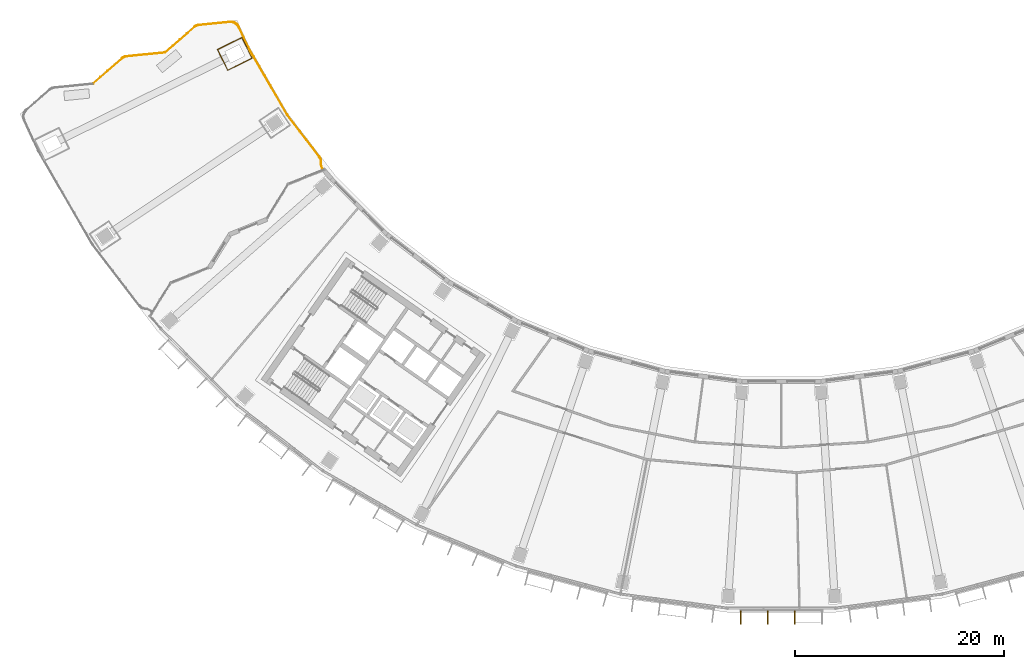
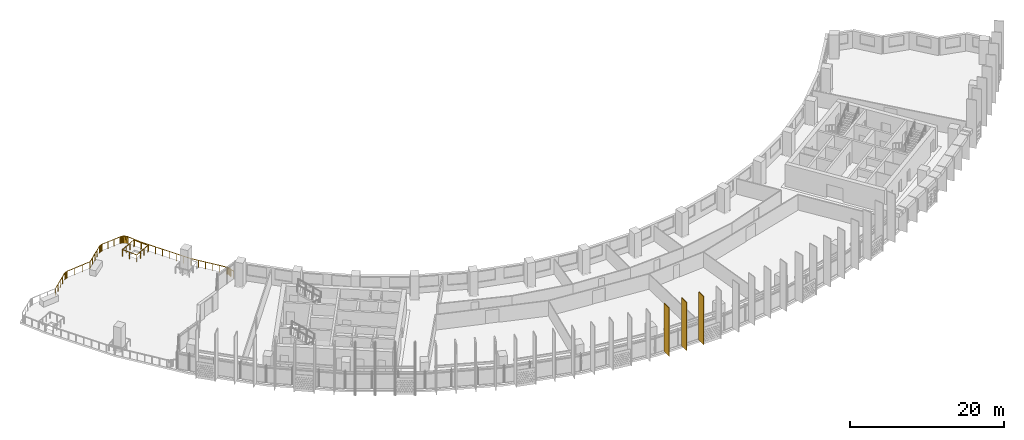
# One storey, part 25 of 31: 3 shading devices, 2 railings.
"""IFC4 building model written with IfcOpenShell, lengths in metres."""

from ifc_helpers import new_model, si_unit, direction, frame, origin, origin_2d, place, context, subcontext, project, spatial, rectangle, circle, extrude, material, material_profile, profile_set, type_object, element, save


model = new_model("IFC4")

# Units and contexts
model_context = context("Model", 3, precision=1e-05, world=origin(), true_north=direction((0.0, 1.0)))
body_context = subcontext(model_context, "Body", "Model", "MODEL_VIEW")
ifc_project = project(units=[si_unit("LENGTHUNIT", "METRE"), si_unit("AREAUNIT", "SQUARE_METRE"), si_unit("VOLUMEUNIT", "CUBIC_METRE"), si_unit("PLANEANGLEUNIT", "RADIAN"), si_unit("MASSUNIT", "GRAM", prefix="KILO")], contexts=[model_context])

# Site, building, storey
site_placement = place(None, origin())
site = spatial("IfcSite", under=ifc_project, at=site_placement, CompositionType="ELEMENT")
building_placement = place(site_placement, origin())
building = spatial("IfcBuilding", under=site, at=building_placement, Name="Qamariyya Broadcast Tower", CompositionType="ELEMENT")
storey_placement = place(building_placement, frame((0.0, 0.0, 149.300048828125)))
storey = spatial("IfcBuildingStorey", under=building, at=storey_placement, Name="L34", CompositionType="ELEMENT", Elevation=149.300048828125)

# Railings
ifc_material_1 = material(Name="Stainless steel 316 with toughened glass infill", Category="steel")
railing_type = type_object("IfcRailingType", Name="Terrace guard, glass and stainless steel", PredefinedType="GUARDRAIL", material=ifc_material_1)
railing_1_placement = place(storey_placement, frame((-52.92236328125, -27.324462890625, 0.0)))
element("IfcRailing", 1, at=railing_1_placement, inside=storey, type_object=railing_type, Name="e-r-L34-t2-pyl2", PredefinedType="GUARDRAIL", context=body_context, shape_type="SweptSolid", body=[
    extrude(circle(Radius=0.02392578125, at=origin_2d()), frame((0.0, 0.0, 1.076171875), z_axis=(-0.442324275547, 0.896855191914, 0.0), x_axis=(-0.896855191914, -0.442324275547, 0.0)), (0.0, 0.0, 1.0), 2.199951171875),
    extrude(circle(Radius=0.02392578125, at=origin_2d()), frame((-0.97314453125, 1.97314453125, 1.076171875), z_axis=(0.896892299018, 0.442249029352, 0.0), x_axis=(-0.442249029352, 0.896892299018, 0.0)), (0.0, 0.0, 1.0), 2.60009765625),
    extrude(circle(Radius=0.02392578125, at=origin_2d()), frame((1.35888671875, 3.123046875, 1.076171875), z_axis=(0.442235010773, -0.896899211309, 0.0), x_axis=(0.896899211309, 0.442235010773, 0.0)), (0.0, 0.0, 1.0), 2.199951171875),
    extrude(circle(Radius=0.02392578125, at=origin_2d()), frame((2.331787109375, 1.14990234375, 1.076171875), z_axis=(-0.89687393217, -0.442286275837, 0.0), x_axis=(0.442286275837, -0.89687393217, 0.0)), (0.0, 0.0, 1.0), 2.599853515625),
    extrude(circle(Radius=0.02099609375, at=origin_2d()), origin(), (0.0, 0.0, 1.0), 1.052001953125),
    extrude(circle(Radius=0.02099609375, at=origin_2d()), frame((-0.486572265625, 0.986572265625, 0.0)), (0.0, 0.0, 1.0), 1.052001953125),
    extrude(circle(Radius=0.02099609375, at=origin_2d()), frame((-0.97314453125, 1.97314453125, 0.0)), (0.0, 0.0, 1.0), 1.052001953125),
    extrude(circle(Radius=0.02099609375, at=origin_2d()), frame((-0.19580078125, 2.3564453125, 0.0)), (0.0, 0.0, 1.0), 1.052001953125),
    extrude(circle(Radius=0.02099609375, at=origin_2d()), frame((0.58154296875, 2.73974609375, 0.0)), (0.0, 0.0, 1.0), 1.052001953125),
    extrude(circle(Radius=0.02099609375, at=origin_2d()), frame((1.35888671875, 3.123046875, 0.0)), (0.0, 0.0, 1.0), 1.052001953125),
    extrude(circle(Radius=0.02099609375, at=origin_2d()), frame((1.84521484375, 2.136474609375, 0.0)), (0.0, 0.0, 1.0), 1.052001953125),
    extrude(circle(Radius=0.02099609375, at=origin_2d()), frame((2.331787109375, 1.14990234375, 0.0)), (0.0, 0.0, 1.0), 1.052001953125),
    extrude(circle(Radius=0.02099609375, at=origin_2d()), frame((1.554443359375, 0.7666015625, 0.0)), (0.0, 0.0, 1.0), 1.052001953125),
    extrude(circle(Radius=0.02099609375, at=origin_2d()), frame((0.77734375, 0.38330078125, 0.0)), (0.0, 0.0, 1.0), 1.052001953125),
])
railing_2_placement = place(storey_placement, frame((-65.81201171875, -28.62255859375, 0.0)))
element("IfcRailing", 2, at=railing_2_placement, inside=storey, type_object=railing_type, Name="e-r-L34-t2-0", PredefinedType="GUARDRAIL", context=body_context, shape_type="SweptSolid", body=[
    extrude(circle(Radius=0.02392578125, at=origin_2d()), frame((0.0, 0.0, 1.076171875), z_axis=(0.787591105973, 0.616198222808, 0.0), x_axis=(-0.616198222808, 0.787591105973, 0.0)), (0.0, 0.0, 1.0), 0.059814453125),
    extrude(circle(Radius=0.02392578125, at=origin_2d()), frame((0.047119140625, 0.036865234375, 1.076171875), z_axis=(0.754354210975, 0.656467611071, 0.0), x_axis=(-0.656467611071, 0.754354210975, 0.0)), (0.0, 0.0, 1.0), 3.618896484375),
    extrude(circle(Radius=0.02392578125, at=origin_2d()), frame((2.777099609375, 2.41259765625, 1.076171875), z_axis=(0.787945255931, 0.615745299337, 0.0), x_axis=(-0.615745299337, 0.787945255931, 0.0)), (0.0, 0.0, 1.0), 0.093505859375),
    extrude(circle(Radius=0.02392578125, at=origin_2d()), frame((2.850830078125, 2.47021484375, 1.076171875), z_axis=(0.845103731141, 0.534602360275, 0.0), x_axis=(-0.534602360275, 0.845103731141, 0.0)), (0.0, 0.0, 1.0), 0.09033203125),
    extrude(circle(Radius=0.02392578125, at=origin_2d()), frame((2.92724609375, 2.5185546875, 1.076171875), z_axis=(0.896577181158, 0.442887523223, 0.0), x_axis=(-0.442887523223, 0.896577181158, 0.0)), (0.0, 0.0, 1.0), 0.09033203125),
    extrude(circle(Radius=0.02392578125, at=origin_2d()), frame((3.00830078125, 2.55859375, 1.076171875), z_axis=(0.937324469765, 0.348457799999, 0.0), x_axis=(-0.348457799999, 0.937324469765, 0.0)), (0.0, 0.0, 1.0), 0.09033203125),
    extrude(circle(Radius=0.02392578125, at=origin_2d()), frame((3.093017578125, 2.590087890625, 1.076171875), z_axis=(0.967875158952, 0.251431256376, 0.0), x_axis=(-0.251431256376, 0.967875158952, 0.0)), (0.0, 0.0, 1.0), 0.09033203125),
    extrude(circle(Radius=0.02392578125, at=origin_2d()), frame((3.180419921875, 2.61279296875, 1.076171875), z_axis=(0.988878864096, 0.148723206474, 0.0), x_axis=(-0.148723206474, 0.988878864096, 0.0)), (0.0, 0.0, 1.0), 0.093505859375),
    extrude(circle(Radius=0.02392578125, at=origin_2d()), frame((3.27294921875, 2.626708984375, 1.076171875), z_axis=(0.995069378519, 0.099181308385, 0.0), x_axis=(-0.099181308385, 0.995069378519, 0.0)), (0.0, 0.0, 1.0), 3.598876953125),
    extrude(circle(Radius=0.02392578125, at=origin_2d()), frame((6.85400390625, 2.983642578125, 1.076171875), z_axis=(0.988605679587, 0.15052843681, 0.0), x_axis=(-0.15052843681, 0.988605679587, 0.0)), (0.0, 0.0, 1.0), 0.06005859375),
    extrude(circle(Radius=0.02392578125, at=origin_2d()), frame((6.913330078125, 2.99267578125, 1.076171875), z_axis=(0.787591105973, 0.616198222808, 0.0), x_axis=(-0.616198222808, 0.787591105973, 0.0)), (0.0, 0.0, 1.0), 0.059814453125),
    extrude(circle(Radius=0.02392578125, at=origin_2d()), frame((6.96044921875, 3.029541015625, 1.076171875), z_axis=(0.75443272609, 0.656377377584, 0.0), x_axis=(-0.656377377584, 0.75443272609, 0.0)), (0.0, 0.0, 1.0), 3.6201171875),
    extrude(circle(Radius=0.02392578125, at=origin_2d()), frame((9.691650390625, 5.40576171875, 1.076171875), z_axis=(0.786679767563, 0.617361274544, 0.0), x_axis=(-0.617361274544, 0.786679767563, 0.0)), (0.0, 0.0, 1.0), 0.09375),
    extrude(circle(Radius=0.02392578125, at=origin_2d()), frame((9.765380859375, 5.463623046875, 1.076171875), z_axis=(0.846323135267, 0.53266983274, 0.0), x_axis=(-0.53266983274, 0.846323135267, 0.0)), (0.0, 0.0, 1.0), 0.09033203125),
    extrude(circle(Radius=0.02392578125, at=origin_2d()), frame((9.841796875, 5.51171875, 1.076171875), z_axis=(0.896577181158, 0.442887523223, 0.0), x_axis=(-0.442887523223, 0.896577181158, 0.0)), (0.0, 0.0, 1.0), 0.09033203125),
    extrude(circle(Radius=0.02392578125, at=origin_2d()), frame((9.9228515625, 5.5517578125, 1.076171875), z_axis=(0.937324469765, 0.348457799999, 0.0), x_axis=(-0.348457799999, 0.937324469765, 0.0)), (0.0, 0.0, 1.0), 0.09033203125),
    extrude(circle(Radius=0.02392578125, at=origin_2d()), frame((10.007568359375, 5.583251953125, 1.076171875), z_axis=(0.968045403304, 0.250774993056, 0.0), x_axis=(-0.250774993056, 0.968045403304, 0.0)), (0.0, 0.0, 1.0), 0.090576171875),
    extrude(circle(Radius=0.02392578125, at=origin_2d()), frame((10.09521484375, 5.60595703125, 1.076171875), z_axis=(0.988820928605, 0.149107917806, 0.0), x_axis=(-0.149107917806, 0.988820928605, 0.0)), (0.0, 0.0, 1.0), 0.09326171875),
    extrude(circle(Radius=0.02392578125, at=origin_2d()), frame((10.1875, 5.619873046875, 1.076171875), z_axis=(0.995082008107, 0.099054516005, 0.0), x_axis=(-0.099054516005, 0.995082008107, 0.0)), (0.0, 0.0, 1.0), 2.906005859375),
    extrude(circle(Radius=0.02392578125, at=origin_2d()), frame((13.0791015625, 5.90771484375, 1.076171875), z_axis=(0.998562745725, 0.053595175618, 0.0), x_axis=(-0.053595175618, 0.998562745725, 0.0)), (0.0, 0.0, 1.0), 0.086669921875),
    extrude(circle(Radius=0.02392578125, at=origin_2d()), frame((13.16552734375, 5.912353515625, 1.076171875), z_axis=(0.999045135171, -0.043690020489, 0.0), x_axis=(0.043690020489, 0.999045135171, 0.0)), (0.0, 0.0, 1.0), 0.083740234375),
    extrude(circle(Radius=0.02392578125, at=origin_2d()), frame((13.249267578125, 5.90869140625, 1.076171875), z_axis=(0.990123976805, -0.140194545388, 0.0), x_axis=(0.140194545388, 0.990123976805, 0.0)), (0.0, 0.0, 1.0), 0.08349609375),
    extrude(circle(Radius=0.02392578125, at=origin_2d()), frame((13.33203125, 5.89697265625, 1.076171875), z_axis=(0.973149024689, -0.230175966918, 0.0), x_axis=(0.230175966918, 0.973149024689, 0.0)), (0.0, 0.0, 1.0), 0.083740234375),
    extrude(circle(Radius=0.02392578125, at=origin_2d()), frame((13.41357421875, 5.877685546875, 1.076171875), z_axis=(0.946022700762, -0.324100369705, 0.0), x_axis=(0.324100369705, 0.946022700762, 0.0)), (0.0, 0.0, 1.0), 0.08349609375),
    extrude(circle(Radius=0.02392578125, at=origin_2d()), frame((13.49267578125, 5.8505859375, 1.076171875), z_axis=(0.911264545024, -0.411821477078, 0.0), x_axis=(0.411821477078, 0.911264545024, 0.0)), (0.0, 0.0, 1.0), 0.08349609375),
    extrude(circle(Radius=0.02392578125, at=origin_2d()), frame((13.56884765625, 5.816162109375, 1.076171875), z_axis=(0.868601656159, -0.495511011903, 0.0), x_axis=(0.495511011903, 0.868601656159, 0.0)), (0.0, 0.0, 1.0), 0.083740234375),
    extrude(circle(Radius=0.02392578125, at=origin_2d()), frame((13.6416015625, 5.774658203125, 1.076171875), z_axis=(0.817857331203, -0.575421050882, 0.0), x_axis=(0.575421050882, 0.817857331203, 0.0)), (0.0, 0.0, 1.0), 0.08349609375),
    extrude(circle(Radius=0.02392578125, at=origin_2d()), frame((13.7099609375, 5.7265625, 1.076171875), z_axis=(0.759050487244, -0.651031764059, 0.0), x_axis=(0.651031764059, 0.759050487244, 0.0)), (0.0, 0.0, 1.0), 0.083740234375),
    extrude(circle(Radius=0.02392578125, at=origin_2d()), frame((13.7734375, 5.672119140625, 1.076171875), z_axis=(0.693865755597, -0.720104376607, 0.0), x_axis=(0.720104376607, 0.693865755597, 0.0)), (0.0, 0.0, 1.0), 0.083740234375),
    extrude(circle(Radius=0.02392578125, at=origin_2d()), frame((13.83154296875, 5.61181640625, 1.076171875), z_axis=(0.620777591254, -0.783986723227, 0.0), x_axis=(0.783986723227, 0.620777591254, 0.0)), (0.0, 0.0, 1.0), 0.083740234375),
    extrude(circle(Radius=0.02392578125, at=origin_2d()), frame((13.883544921875, 5.546142578125, 1.076171875), z_axis=(0.543857324236, -0.839177699224, 0.0), x_axis=(0.839177699224, 0.543857324236, 0.0)), (0.0, 0.0, 1.0), 0.08349609375),
    extrude(circle(Radius=0.02392578125, at=origin_2d()), frame((13.928955078125, 5.47607421875, 1.076171875), z_axis=(0.462951853962, -0.886383427707, 0.0), x_axis=(0.886383427707, 0.462951853962, 0.0)), (0.0, 0.0, 1.0), 0.08642578125),
    extrude(circle(Radius=0.02392578125, at=origin_2d()), frame((13.968994140625, 5.3994140625, 1.076171875), z_axis=(0.419906881195, -0.907567193724, 0.0), x_axis=(0.907567193724, 0.419906881195, 0.0)), (0.0, 0.0, 1.0), 2.0791015625),
    extrude(circle(Radius=0.02392578125, at=origin_2d()), frame((14.842041015625, 3.512451171875, 1.076171875), z_axis=(0.458765924879, -0.888557159765, 0.0), x_axis=(0.888557159765, 0.458765924879, 0.0)), (0.0, 0.0, 1.0), 0.050537109375),
    extrude(circle(Radius=0.02392578125, at=origin_2d()), frame((14.865234375, 3.467529296875, 1.076171875), z_axis=(0.500009278584, -0.866020046725, 0.0), x_axis=(0.866020046725, 0.500009278584, 0.0)), (0.0, 0.0, 1.0), 7.367919921875),
    extrude(circle(Radius=0.02392578125, at=origin_2d()), frame((18.54931640625, -2.913330078125, 1.076171875), z_axis=(0.557007164006, -0.83050768765, 0.0), x_axis=(0.83050768765, 0.557007164006, 0.0)), (0.0, 0.0, 1.0), 0.0732421875),
    extrude(circle(Radius=0.02392578125, at=origin_2d()), frame((18.590087890625, -2.97412109375, 1.076171875), z_axis=(0.608758713349, -0.793355424083, 0.0), x_axis=(0.793355424083, 0.608758713349, 0.0)), (0.0, 0.0, 1.0), 4.99658203125),
    extrude(circle(Radius=0.02392578125, at=origin_2d()), frame((21.6318359375, -6.938232421875, 1.076171875), z_axis=(0.569929088961, -0.821693880686, 0.0), x_axis=(0.821693880686, 0.569929088961, 0.0)), (0.0, 0.0, 1.0), 0.088134765625),
    extrude(circle(Radius=0.02392578125, at=origin_2d()), frame((21.68212890625, -7.0107421875, 1.076171875), z_axis=(0.485642931179, -0.874157276122, 0.0), x_axis=(0.874157276122, 0.485642931179, 0.0)), (0.0, 0.0, 1.0), 0.08544921875),
    extrude(circle(Radius=0.02392578125, at=origin_2d()), frame((21.7236328125, -7.08544921875, 1.076171875), z_axis=(0.40081883402, -0.916157334902, 0.0), x_axis=(0.916157334902, 0.40081883402, 0.0)), (0.0, 0.0, 1.0), 0.085205078125),
    extrude(circle(Radius=0.02392578125, at=origin_2d()), frame((21.7578125, -7.16357421875, 1.076171875), z_axis=(0.309345127618, -0.950949836752, 0.0), x_axis=(0.950949836752, 0.309345127618, 0.0)), (0.0, 0.0, 1.0), 0.085205078125),
    extrude(circle(Radius=0.02392578125, at=origin_2d()), frame((21.7841796875, -7.24462890625, 1.076171875), z_axis=(0.217536555008, -0.976052174443, 0.0), x_axis=(0.976052174443, 0.217536555008, 0.0)), (0.0, 0.0, 1.0), 0.085205078125),
    extrude(circle(Radius=0.02392578125, at=origin_2d()), frame((21.802734375, -7.327880859375, 1.076171875), z_axis=(0.120160484634, -0.992754480188, 0.0), x_axis=(0.992754480188, 0.120160484634, 0.0)), (0.0, 0.0, 1.0), 0.08544921875),
    extrude(circle(Radius=0.02392578125, at=origin_2d()), frame((21.81298828125, -7.41259765625, 1.076171875), z_axis=(0.02285117435, -0.999738877823, 0.0), x_axis=(0.999738877823, 0.02285117435, 0.0)), (0.0, 0.0, 1.0), 0.08544921875),
    extrude(circle(Radius=0.02392578125, at=origin_2d()), frame((21.81494140625, -7.498046875, 1.076171875), z_axis=(-0.071450155552, -0.997444171506, 0.0), x_axis=(0.997444171506, -0.071450155552, 0.0)), (0.0, 0.0, 1.0), 0.08544921875),
    extrude(circle(Radius=0.02392578125, at=origin_2d()), frame((21.808837890625, -7.583251953125, 1.076171875), z_axis=(-0.171824574947, -0.985127563031, 0.0), x_axis=(0.985127563031, -0.171824574947, 0.0)), (0.0, 0.0, 1.0), 0.085205078125),
    extrude(circle(Radius=0.02392578125, at=origin_2d()), frame((21.794189453125, -7.667236328125, 1.076171875), z_axis=(0.297723651144, -0.954652097651, 0.0), x_axis=(0.954652097651, 0.297723651144, 0.0)), (0.0, 0.0, 1.0), 0.50439453125),
    extrude(circle(Radius=0.02099609375, at=origin_2d()), origin(), (0.0, 0.0, 1.0), 1.052001953125),
    extrude(circle(Radius=0.02099609375, at=origin_2d()), frame((0.047119140625, 0.036865234375, 0.0)), (0.0, 0.0, 1.0), 1.052001953125),
    extrude(circle(Radius=0.02099609375, at=origin_2d()), frame((0.7294921875, 0.630859375, 0.0)), (0.0, 0.0, 1.0), 1.052001953125),
    extrude(circle(Radius=0.02099609375, at=origin_2d()), frame((1.412109375, 1.224609375, 0.0)), (0.0, 0.0, 1.0), 1.052001953125),
    extrude(circle(Radius=0.02099609375, at=origin_2d()), frame((2.0947265625, 1.818603515625, 0.0)), (0.0, 0.0, 1.0), 1.052001953125),
    extrude(circle(Radius=0.02099609375, at=origin_2d()), frame((2.777099609375, 2.41259765625, 0.0)), (0.0, 0.0, 1.0), 1.052001953125),
    extrude(circle(Radius=0.02099609375, at=origin_2d()), frame((2.850830078125, 2.47021484375, 0.0)), (0.0, 0.0, 1.0), 1.052001953125),
    extrude(circle(Radius=0.02099609375, at=origin_2d()), frame((2.92724609375, 2.5185546875, 0.0)), (0.0, 0.0, 1.0), 1.052001953125),
    extrude(circle(Radius=0.02099609375, at=origin_2d()), frame((3.00830078125, 2.55859375, 0.0)), (0.0, 0.0, 1.0), 1.052001953125),
    extrude(circle(Radius=0.02099609375, at=origin_2d()), frame((3.093017578125, 2.590087890625, 0.0)), (0.0, 0.0, 1.0), 1.052001953125),
    extrude(circle(Radius=0.02099609375, at=origin_2d()), frame((3.180419921875, 2.61279296875, 0.0)), (0.0, 0.0, 1.0), 1.052001953125),
    extrude(circle(Radius=0.02099609375, at=origin_2d()), frame((3.27294921875, 2.626708984375, 0.0)), (0.0, 0.0, 1.0), 1.052001953125),
    extrude(circle(Radius=0.02099609375, at=origin_2d()), frame((4.466552734375, 2.74560546875, 0.0)), (0.0, 0.0, 1.0), 1.052001953125),
    extrude(circle(Radius=0.02099609375, at=origin_2d()), frame((5.660400390625, 2.86474609375, 0.0)), (0.0, 0.0, 1.0), 1.052001953125),
    extrude(circle(Radius=0.02099609375, at=origin_2d()), frame((6.85400390625, 2.983642578125, 0.0)), (0.0, 0.0, 1.0), 1.052001953125),
    extrude(circle(Radius=0.02099609375, at=origin_2d()), frame((6.913330078125, 2.99267578125, 0.0)), (0.0, 0.0, 1.0), 1.052001953125),
    extrude(circle(Radius=0.02099609375, at=origin_2d()), frame((6.96044921875, 3.029541015625, 0.0)), (0.0, 0.0, 1.0), 1.052001953125),
    extrude(circle(Radius=0.02099609375, at=origin_2d()), frame((7.643310546875, 3.62353515625, 0.0)), (0.0, 0.0, 1.0), 1.052001953125),
    extrude(circle(Radius=0.02099609375, at=origin_2d()), frame((8.326171875, 4.2177734375, 0.0)), (0.0, 0.0, 1.0), 1.052001953125),
    extrude(circle(Radius=0.02099609375, at=origin_2d()), frame((9.0087890625, 4.811767578125, 0.0)), (0.0, 0.0, 1.0), 1.052001953125),
    extrude(circle(Radius=0.02099609375, at=origin_2d()), frame((9.691650390625, 5.40576171875, 0.0)), (0.0, 0.0, 1.0), 1.052001953125),
    extrude(circle(Radius=0.02099609375, at=origin_2d()), frame((9.765380859375, 5.463623046875, 0.0)), (0.0, 0.0, 1.0), 1.052001953125),
    extrude(circle(Radius=0.02099609375, at=origin_2d()), frame((9.841796875, 5.51171875, 0.0)), (0.0, 0.0, 1.0), 1.052001953125),
    extrude(circle(Radius=0.02099609375, at=origin_2d()), frame((9.9228515625, 5.5517578125, 0.0)), (0.0, 0.0, 1.0), 1.052001953125),
    extrude(circle(Radius=0.02099609375, at=origin_2d()), frame((10.007568359375, 5.583251953125, 0.0)), (0.0, 0.0, 1.0), 1.052001953125),
    extrude(circle(Radius=0.02099609375, at=origin_2d()), frame((10.09521484375, 5.60595703125, 0.0)), (0.0, 0.0, 1.0), 1.052001953125),
    extrude(circle(Radius=0.02099609375, at=origin_2d()), frame((10.1875, 5.619873046875, 0.0)), (0.0, 0.0, 1.0), 1.052001953125),
    extrude(circle(Radius=0.02099609375, at=origin_2d()), frame((11.1513671875, 5.7158203125, 0.0)), (0.0, 0.0, 1.0), 1.052001953125),
    extrude(circle(Radius=0.02099609375, at=origin_2d()), frame((12.115234375, 5.811767578125, 0.0)), (0.0, 0.0, 1.0), 1.052001953125),
    extrude(circle(Radius=0.02099609375, at=origin_2d()), frame((13.0791015625, 5.90771484375, 0.0)), (0.0, 0.0, 1.0), 1.052001953125),
    extrude(circle(Radius=0.02099609375, at=origin_2d()), frame((13.16552734375, 5.912353515625, 0.0)), (0.0, 0.0, 1.0), 1.052001953125),
    extrude(circle(Radius=0.02099609375, at=origin_2d()), frame((13.249267578125, 5.90869140625, 0.0)), (0.0, 0.0, 1.0), 1.052001953125),
    extrude(circle(Radius=0.02099609375, at=origin_2d()), frame((13.33203125, 5.89697265625, 0.0)), (0.0, 0.0, 1.0), 1.052001953125),
    extrude(circle(Radius=0.02099609375, at=origin_2d()), frame((13.41357421875, 5.877685546875, 0.0)), (0.0, 0.0, 1.0), 1.052001953125),
    extrude(circle(Radius=0.02099609375, at=origin_2d()), frame((13.49267578125, 5.8505859375, 0.0)), (0.0, 0.0, 1.0), 1.052001953125),
    extrude(circle(Radius=0.02099609375, at=origin_2d()), frame((13.56884765625, 5.816162109375, 0.0)), (0.0, 0.0, 1.0), 1.052001953125),
    extrude(circle(Radius=0.02099609375, at=origin_2d()), frame((13.6416015625, 5.774658203125, 0.0)), (0.0, 0.0, 1.0), 1.052001953125),
    extrude(circle(Radius=0.02099609375, at=origin_2d()), frame((13.7099609375, 5.7265625, 0.0)), (0.0, 0.0, 1.0), 1.052001953125),
    extrude(circle(Radius=0.02099609375, at=origin_2d()), frame((13.7734375, 5.672119140625, 0.0)), (0.0, 0.0, 1.0), 1.052001953125),
    extrude(circle(Radius=0.02099609375, at=origin_2d()), frame((13.83154296875, 5.61181640625, 0.0)), (0.0, 0.0, 1.0), 1.052001953125),
    extrude(circle(Radius=0.02099609375, at=origin_2d()), frame((13.883544921875, 5.546142578125, 0.0)), (0.0, 0.0, 1.0), 1.052001953125),
    extrude(circle(Radius=0.02099609375, at=origin_2d()), frame((13.928955078125, 5.47607421875, 0.0)), (0.0, 0.0, 1.0), 1.052001953125),
    extrude(circle(Radius=0.02099609375, at=origin_2d()), frame((13.968994140625, 5.3994140625, 0.0)), (0.0, 0.0, 1.0), 1.052001953125),
    extrude(circle(Radius=0.02099609375, at=origin_2d()), frame((14.405517578125, 4.4560546875, 0.0)), (0.0, 0.0, 1.0), 1.052001953125),
    extrude(circle(Radius=0.02099609375, at=origin_2d()), frame((14.842041015625, 3.512451171875, 0.0)), (0.0, 0.0, 1.0), 1.052001953125),
    extrude(circle(Radius=0.02099609375, at=origin_2d()), frame((14.865234375, 3.467529296875, 0.0)), (0.0, 0.0, 1.0), 1.052001953125),
    extrude(circle(Radius=0.02099609375, at=origin_2d()), frame((15.3916015625, 2.555908203125, 0.0)), (0.0, 0.0, 1.0), 1.052001953125),
    extrude(circle(Radius=0.02099609375, at=origin_2d()), frame((15.917724609375, 1.64453125, 0.0)), (0.0, 0.0, 1.0), 1.052001953125),
    extrude(circle(Radius=0.02099609375, at=origin_2d()), frame((16.444091796875, 0.73291015625, 0.0)), (0.0, 0.0, 1.0), 1.052001953125),
    extrude(circle(Radius=0.02099609375, at=origin_2d()), frame((16.970458984375, -0.1787109375, 0.0)), (0.0, 0.0, 1.0), 1.052001953125),
    extrude(circle(Radius=0.02099609375, at=origin_2d()), frame((17.496826171875, -1.09033203125, 0.0)), (0.0, 0.0, 1.0), 1.052001953125),
    extrude(circle(Radius=0.02099609375, at=origin_2d()), frame((18.02294921875, -2.001708984375, 0.0)), (0.0, 0.0, 1.0), 1.052001953125),
    extrude(circle(Radius=0.02099609375, at=origin_2d()), frame((18.54931640625, -2.913330078125, 0.0)), (0.0, 0.0, 1.0), 1.052001953125),
    extrude(circle(Radius=0.02099609375, at=origin_2d()), frame((18.590087890625, -2.97412109375, 0.0)), (0.0, 0.0, 1.0), 1.052001953125),
    extrude(circle(Radius=0.02099609375, at=origin_2d()), frame((19.198486328125, -3.766845703125, 0.0)), (0.0, 0.0, 1.0), 1.052001953125),
    extrude(circle(Radius=0.02099609375, at=origin_2d()), frame((19.806884765625, -4.559814453125, 0.0)), (0.0, 0.0, 1.0), 1.052001953125),
    extrude(circle(Radius=0.02099609375, at=origin_2d()), frame((20.4150390625, -5.3525390625, 0.0)), (0.0, 0.0, 1.0), 1.052001953125),
    extrude(circle(Radius=0.02099609375, at=origin_2d()), frame((21.0234375, -6.1455078125, 0.0)), (0.0, 0.0, 1.0), 1.052001953125),
    extrude(circle(Radius=0.02099609375, at=origin_2d()), frame((21.6318359375, -6.938232421875, 0.0)), (0.0, 0.0, 1.0), 1.052001953125),
    extrude(circle(Radius=0.02099609375, at=origin_2d()), frame((21.68212890625, -7.0107421875, 0.0)), (0.0, 0.0, 1.0), 1.052001953125),
    extrude(circle(Radius=0.02099609375, at=origin_2d()), frame((21.7236328125, -7.08544921875, 0.0)), (0.0, 0.0, 1.0), 1.052001953125),
    extrude(circle(Radius=0.02099609375, at=origin_2d()), frame((21.7578125, -7.16357421875, 0.0)), (0.0, 0.0, 1.0), 1.052001953125),
    extrude(circle(Radius=0.02099609375, at=origin_2d()), frame((21.7841796875, -7.24462890625, 0.0)), (0.0, 0.0, 1.0), 1.052001953125),
    extrude(circle(Radius=0.02099609375, at=origin_2d()), frame((21.802734375, -7.327880859375, 0.0)), (0.0, 0.0, 1.0), 1.052001953125),
    extrude(circle(Radius=0.02099609375, at=origin_2d()), frame((21.81298828125, -7.41259765625, 0.0)), (0.0, 0.0, 1.0), 1.052001953125),
    extrude(circle(Radius=0.02099609375, at=origin_2d()), frame((21.81494140625, -7.498046875, 0.0)), (0.0, 0.0, 1.0), 1.052001953125),
    extrude(circle(Radius=0.02099609375, at=origin_2d()), frame((21.808837890625, -7.583251953125, 0.0)), (0.0, 0.0, 1.0), 1.052001953125),
    extrude(circle(Radius=0.02099609375, at=origin_2d()), frame((21.794189453125, -7.667236328125, 0.0)), (0.0, 0.0, 1.0), 1.052001953125),
    extrude(circle(Radius=0.02099609375, at=origin_2d()), frame((21.9443359375, -8.148681640625, 0.0)), (0.0, 0.0, 1.0), 1.052001953125),
])

# Shading devices
ifc_material_2 = material(Name="Glazed terracotta", Category="masonry")
ifc_material_profile = material_profile(ifc_material_2, rectangle(XDim=1.300048828125, YDim=0.10009765625, at=origin_2d()))
ifc_profile_set = profile_set([ifc_material_profile], Name="Glazed terracotta")
shading_device_type = type_object("IfcShadingDeviceType", Name="Terracotta fin 100 x 1300", PredefinedType="USERDEFINED", material=ifc_profile_set)
for number, where, z_axis, x_axis, name in (
    (3, (-3.875244140625, -79.630859375, 0.0), (0.0, 0.0, 1.0), (0.0, -1.0, 0.0), "e-fin-L34-07-0"),
    (4, (-1.291748046875, -79.630859375, 0.0), (0.0, 0.0, 1.0), (0.0, -1.0, 0.0), "e-fin-L34-07-1"),
    (5, (1.291748046875, -79.630859375, 0.0), (0.0, 0.0, 1.0), (0.0, -1.0, 0.0), "e-fin-L34-07-2"),
):
    element("IfcShadingDevice", number, at=place(storey_placement, frame(where, z_axis=z_axis, x_axis=x_axis)), inside=storey, type_object=shading_device_type, Name=name, ObjectType="FIN", PredefinedType="USERDEFINED", context=body_context, shape_type="SweptSolid", body=[
        extrude(rectangle(XDim=1.300048828125, YDim=0.10009765625, at=origin_2d()), origin(), (0.0, 0.0, 1.0), 7.599853515625),
    ])

save(model, "model.ifc")
